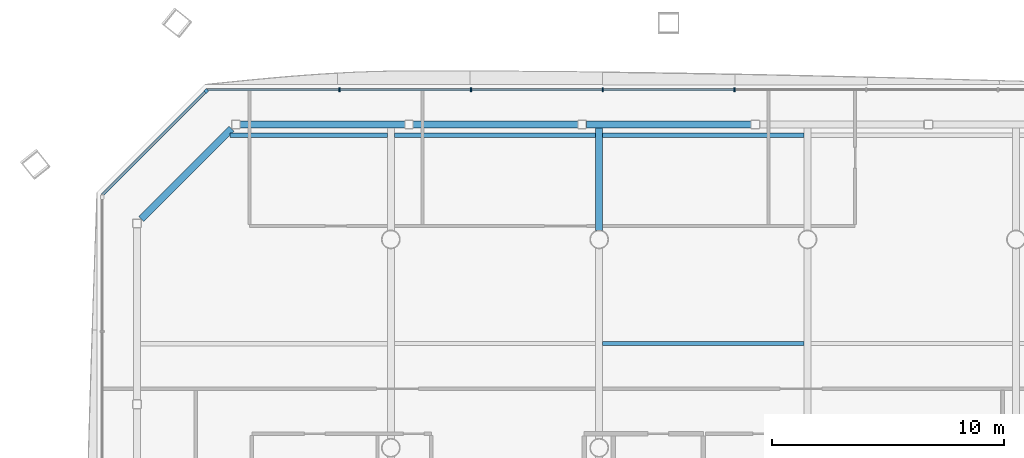
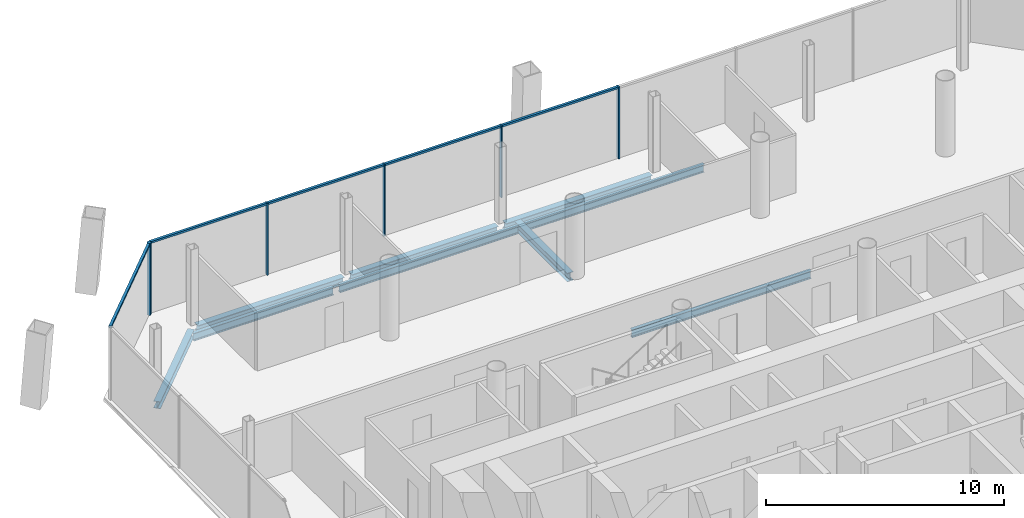
# One storey, part 8 of 19: 10 members, 9 beams, 2 elements without a shape of their own.
"""IFC4 building model written with IfcOpenShell, lengths in metres."""

from ifc_helpers import new_model, si_unit, direction, frame, origin, origin_2d, place, context, subcontext, project, spatial, rectangle, i_section, extrude, material, material_profile, profile_set, type_object, element, aggregate, save


model = new_model("IFC4")

# Units and contexts
model_context = context("Model", 3, precision=1e-05, world=origin(), true_north=direction((0.0, 1.0)))
body_context = subcontext(model_context, "Body", "Model", "MODEL_VIEW")
ifc_project = project(units=[si_unit("LENGTHUNIT", "METRE"), si_unit("AREAUNIT", "SQUARE_METRE"), si_unit("VOLUMEUNIT", "CUBIC_METRE"), si_unit("PLANEANGLEUNIT", "RADIAN"), si_unit("MASSUNIT", "GRAM", prefix="KILO")], contexts=[model_context])

# Site, building, storey
site_placement = place(None, origin())
site = spatial("IfcSite", under=ifc_project, at=site_placement, CompositionType="ELEMENT")
building_placement = place(site_placement, origin())
building = spatial("IfcBuilding", under=site, at=building_placement, Name="Tskaro Facet Tower", CompositionType="ELEMENT")
storey_placement = place(building_placement, frame((0.0, 0.0, 89.39990234375)))
storey = spatial("IfcBuildingStorey", under=building, at=storey_placement, Name="L21", CompositionType="ELEMENT", Elevation=89.39990234375)

# Curtain wall, member
ifc_material_1 = material(Name="Bronze anodised aluminium 6063-T6", Category="aluminium")
curtain_wall_type = type_object("IfcCurtainWallType", Name="Bronze office curtain wall (FW1)", PredefinedType="NOTDEFINED", material=ifc_material_1)
curtain_wall_1_placement = place(storey_placement, origin())
curtain_wall_1 = element("IfcCurtainWall", 1, at=curtain_wall_1_placement, inside=storey, type_object=curtain_wall_type, Name="FW1 north-west facet L21", PredefinedType="NOTDEFINED")
ifc_material_profile_1 = material_profile(ifc_material_1, rectangle(XDim=0.159912109375, YDim=0.159912109375, at=origin_2d()), Name="Corner post 160x160")
ifc_profile_set_1 = profile_set([ifc_material_profile_1], Name="Bronze anodised aluminium 6063-T6")
member_type_1 = type_object("IfcMemberType", Name="FW1 bronze corner post 160x160", PredefinedType="MULLION", material=ifc_profile_set_1)
member_1_placement = place(storey_placement, frame((-16.969482421875, 24.406494140625, 0.0), z_axis=(0.0, 0.0, 1.0), x_axis=(-0.707106781187, -0.707106781187, 0.0)))
member_1 = element("IfcMember", 2, at=member_1_placement, type_object=member_type_1, Name="FW1 north-west corner post", PredefinedType="MULLION", context=body_context, shape_type="SweptSolid", body=[
    extrude(rectangle(XDim=0.159912109375, YDim=0.159912109375, at=origin_2d()), origin(), (0.0, 0.0, 1.0), 3.7001953125),
])

# Curtain wall, members
curtain_wall_2_placement = place(storey_placement, origin())
curtain_wall_2 = element("IfcCurtainWall", 3, at=curtain_wall_2_placement, inside=storey, type_object=curtain_wall_type, Name="FW1 north facet L21", PredefinedType="NOTDEFINED")
ifc_material_profile_2 = material_profile(ifc_material_1, rectangle(XDim=0.06005859375, YDim=0.159912109375, at=origin_2d()), Name="Mullion 60x160")
ifc_profile_set_2 = profile_set([ifc_material_profile_2], Name="Bronze anodised aluminium 6063-T6")
member_type_2 = type_object("IfcMemberType", Name="FW1 bronze mullion 60x160", PredefinedType="MULLION", material=ifc_profile_set_2)
member_2_placement = place(storey_placement, frame((5.8447265625, 24.462890625, 0.0), z_axis=(0.0, 0.0, 1.0), x_axis=(-1.0, 0.0, 0.0)))
member_2 = element("IfcMember", 4, at=member_2_placement, type_object=member_type_2, Name="FW1 north mullion 3", PredefinedType="MULLION", context=body_context, shape_type="SweptSolid", body=[
    extrude(rectangle(XDim=0.06005859375, YDim=0.159912109375, at=origin_2d()), origin(), (0.0, 0.0, 1.0), 3.7001953125),
])
member_3_placement = place(storey_placement, frame((0.1552734375, 24.462890625, 0.0), z_axis=(0.0, 0.0, 1.0), x_axis=(-1.0, 0.0, 0.0)))
member_3 = element("IfcMember", 5, at=member_3_placement, type_object=member_type_2, Name="FW1 north mullion 4", PredefinedType="MULLION", context=body_context, shape_type="SweptSolid", body=[
    extrude(rectangle(XDim=0.06005859375, YDim=0.159912109375, at=origin_2d()), origin(), (0.0, 0.0, 1.0), 3.7001953125),
])
member_4_placement = place(storey_placement, frame((-5.5341796875, 24.462890625, 0.0), z_axis=(0.0, 0.0, 1.0), x_axis=(-1.0, 0.0, 0.0)))
member_4 = element("IfcMember", 6, at=member_4_placement, type_object=member_type_2, Name="FW1 north mullion 5", PredefinedType="MULLION", context=body_context, shape_type="SweptSolid", body=[
    extrude(rectangle(XDim=0.06005859375, YDim=0.159912109375, at=origin_2d()), origin(), (0.0, 0.0, 1.0), 3.7001953125),
])
member_5_placement = place(storey_placement, frame((-11.2236328125, 24.462890625, 0.0), z_axis=(0.0, 0.0, 1.0), x_axis=(-1.0, 0.0, 0.0)))
member_5 = element("IfcMember", 7, at=member_5_placement, type_object=member_type_2, Name="FW1 north mullion 6", PredefinedType="MULLION", context=body_context, shape_type="SweptSolid", body=[
    extrude(rectangle(XDim=0.06005859375, YDim=0.159912109375, at=origin_2d()), origin(), (0.0, 0.0, 1.0), 3.7001953125),
])
ifc_material_profile_3 = material_profile(ifc_material_1, rectangle(XDim=0.1201171875, YDim=0.10009765625, at=origin_2d()), Name="Transom 120x100")
ifc_profile_set_3 = profile_set([ifc_material_profile_3], Name="Bronze anodised aluminium 6063-T6")
member_type_3 = type_object("IfcMemberType", Name="FW1 bronze transom 120x100", PredefinedType="USERDEFINED", material=ifc_profile_set_3)
member_6_placement = place(storey_placement, frame((5.814697265625, 24.462890625, 3.650146484375), z_axis=(-1.0, 0.0, 0.0), x_axis=(0.0, -1.0, 0.0)))
member_6 = element("IfcMember", 8, at=member_6_placement, type_object=member_type_3, Name="FW1 north transom 4.1", ObjectType="TRANSOM", PredefinedType="USERDEFINED", context=body_context, shape_type="SweptSolid", body=[
    extrude(rectangle(XDim=0.1201171875, YDim=0.10009765625, at=origin_2d()), origin(), (0.0, 0.0, 1.0), 5.62939453125),
])
member_7_placement = place(storey_placement, frame((0.125244140625, 24.462890625, 3.650146484375), z_axis=(-1.0, 0.0, 0.0), x_axis=(0.0, -1.0, 0.0)))
member_7 = element("IfcMember", 9, at=member_7_placement, type_object=member_type_3, Name="FW1 north transom 5.1", ObjectType="TRANSOM", PredefinedType="USERDEFINED", context=body_context, shape_type="SweptSolid", body=[
    extrude(rectangle(XDim=0.1201171875, YDim=0.10009765625, at=origin_2d()), origin(), (0.0, 0.0, 1.0), 5.62939453125),
])
member_8_placement = place(storey_placement, frame((-5.564208984375, 24.462890625, 3.650146484375), z_axis=(-1.0, 0.0, 0.0), x_axis=(0.0, -1.0, 0.0)))
member_8 = element("IfcMember", 10, at=member_8_placement, type_object=member_type_3, Name="FW1 north transom 6.1", ObjectType="TRANSOM", PredefinedType="USERDEFINED", context=body_context, shape_type="SweptSolid", body=[
    extrude(rectangle(XDim=0.1201171875, YDim=0.10009765625, at=origin_2d()), origin(), (0.0, 0.0, 1.0), 5.62939453125),
])
member_9_placement = place(storey_placement, frame((-11.253662109375, 24.462890625, 3.650146484375), z_axis=(-1.0, 0.0, 0.0), x_axis=(0.0, -1.0, 0.0)))
member_9 = element("IfcMember", 11, at=member_9_placement, type_object=member_type_3, Name="FW1 north transom 7.1", ObjectType="TRANSOM", PredefinedType="USERDEFINED", context=body_context, shape_type="SweptSolid", body=[
    extrude(rectangle(XDim=0.1201171875, YDim=0.10009765625, at=origin_2d()), origin(), (0.0, 0.0, 1.0), 5.659423828125),
])
aggregate(curtain_wall_2, [member_2, member_3, member_4, member_5, member_6, member_7, member_8, member_9])

# Member
member_10_placement = place(storey_placement, frame((-17.026123046875, 24.349853515625, 3.650146484375), z_axis=(-0.707106781187, -0.707106781187, 0.0), x_axis=(0.707106781187, -0.707106781187, 0.0)))
member_10 = element("IfcMember", 12, at=member_10_placement, type_object=member_type_3, Name="FW1 north-west transom 1.1", ObjectType="TRANSOM", PredefinedType="USERDEFINED", context=body_context, shape_type="SweptSolid", body=[
    extrude(rectangle(XDim=0.1201171875, YDim=0.10009765625, at=origin_2d()), origin(), (0.0, 0.0, 1.0), 6.274658203125),
])

aggregate(curtain_wall_1, [member_1, member_10])

# Beams
ifc_material_2 = material(Name="Steel S355J2", Category="steel")
ifc_material_profile_4 = material_profile(ifc_material_2, i_section(OverallWidth=0.300048828125, OverallDepth=0.360107421875, WebThickness=0.012451171875, FlangeThickness=0.0224609375, FilletRadius=0.027099609375, at=origin_2d()), Name="HE 360 B")
ifc_profile_set_4 = profile_set([ifc_material_profile_4], Name="Steel S355J2")
beam_type_1 = type_object("IfcBeamType", Name="HE 360 B ring beam", PredefinedType="BEAM", material=ifc_profile_set_4)
beam_1_placement = place(storey_placement, frame((6.55810546875, 22.965087890625, -0.31982421875), z_axis=(-1.0, 0.0, 0.0), x_axis=(0.0, -1.0, 0.0)))
element("IfcBeam", 13, at=beam_1_placement, inside=storey, type_object=beam_type_1, Name="HE 360 B EB15-2", PredefinedType="BEAM", context=body_context, shape_type="SweptSolid", body=[
    extrude(i_section(OverallWidth=0.300048828125, OverallDepth=0.360107421875, WebThickness=0.012451171875, FlangeThickness=0.0224609375, FilletRadius=0.027099609375, at=origin_2d()), origin(), (0.0, 0.0, 1.0), 7.1162109375),
])
for number, where, z_axis, x_axis, name in (
    (14, (-0.91796875, 22.965087890625, -0.31982421875), (-1.0, 0.0, 0.0), (0.0, -1.0, 0.0), "HE 360 B EB16-2"),
    (15, (-8.39404296875, 22.965087890625, -0.31982421875), (-1.0, 0.0, 0.0), (0.0, -1.0, 0.0), "HE 360 B EB17-2"),
):
    element("IfcBeam", number, at=place(storey_placement, frame(where, z_axis=z_axis, x_axis=x_axis)), inside=storey, type_object=beam_type_1, Name=name, PredefinedType="BEAM", context=body_context, shape_type="SweptSolid", body=[
        extrude(i_section(OverallWidth=0.300048828125, OverallDepth=0.360107421875, WebThickness=0.012451171875, FlangeThickness=0.0224609375, FilletRadius=0.027099609375, at=origin_2d()), origin(), (0.0, 0.0, 1.0), 7.115966796875),
    ])
beam_2_placement = place(storey_placement, frame((-15.8759765625, 22.779052734375, -0.31982421875), z_axis=(-0.707106781187, -0.707106781187, 0.0), x_axis=(0.707106781187, -0.707106781187, 0.0)))
element("IfcBeam", 16, at=beam_2_placement, inside=storey, type_object=beam_type_1, Name="HE 360 B EB18-2", PredefinedType="BEAM", context=body_context, shape_type="SweptSolid", body=[
    extrude(i_section(OverallWidth=0.300048828125, OverallDepth=0.360107421875, WebThickness=0.012451171875, FlangeThickness=0.0224609375, FilletRadius=0.027099609375, at=origin_2d()), origin(), (0.0, 0.0, 1.0), 5.519775390625),
])
ifc_material_profile_5 = material_profile(ifc_material_2, i_section(OverallWidth=0.300048828125, OverallDepth=0.43994140625, WebThickness=0.011474609375, FlangeThickness=0.02099609375, FilletRadius=0.027099609375, at=origin_2d()), Name="HE 450 A")
ifc_profile_set_5 = profile_set([ifc_material_profile_5], Name="Steel S355J2")
beam_type_2 = type_object("IfcBeamType", Name="HE 450 A girder", PredefinedType="BEAM", material=ifc_profile_set_5)
beam_3_placement = place(storey_placement, frame((0.0, 18.37646484375, -0.35986328125), z_axis=(0.0, 1.0, 0.0), x_axis=(-1.0, 0.0, 0.0)))
element("IfcBeam", 17, at=beam_3_placement, inside=storey, type_object=beam_type_2, Name="HE 450 A GB4-5-2", PredefinedType="BEAM", context=body_context, shape_type="SweptSolid", body=[
    extrude(i_section(OverallWidth=0.300048828125, OverallDepth=0.43994140625, WebThickness=0.011474609375, FlangeThickness=0.02099609375, FilletRadius=0.027099609375, at=origin_2d()), origin(), (0.0, 0.0, 1.0), 4.4384765625),
])
ifc_material_profile_6 = material_profile(ifc_material_2, i_section(OverallWidth=0.179931640625, OverallDepth=0.39990234375, WebThickness=0.008544921875, FlangeThickness=0.013427734375, FilletRadius=0.02099609375, at=origin_2d()), Name="IPE 400")
ifc_profile_set_6 = profile_set([ifc_material_profile_6], Name="Steel S355J2")
beam_type_3 = type_object("IfcBeamType", Name="IPE 400 secondary beam", PredefinedType="BEAM", material=ifc_profile_set_6)
beam_4_placement = place(storey_placement, frame((0.14990234375, 13.5, -0.33984375), z_axis=(1.0, 0.0, 0.0), x_axis=(0.0, 1.0, 0.0)))
element("IfcBeam", 18, at=beam_4_placement, inside=storey, type_object=beam_type_3, Name="IPE 400 SB5a-3-2", PredefinedType="BEAM", context=body_context, shape_type="SweptSolid", body=[
    extrude(i_section(OverallWidth=0.179931640625, OverallDepth=0.39990234375, WebThickness=0.008544921875, FlangeThickness=0.013427734375, FilletRadius=0.02099609375, at=origin_2d()), origin(), (0.0, 0.0, 1.0), 8.7001953125),
])
beam_5_placement = place(storey_placement, frame((-15.943115234375, 22.5, -0.33984375), z_axis=(1.0, 0.0, 0.0), x_axis=(0.0, 1.0, 0.0)))
element("IfcBeam", 19, at=beam_5_placement, inside=storey, type_object=beam_type_3, Name="IPE 400 SB6a-1-2", PredefinedType="BEAM", context=body_context, shape_type="SweptSolid", body=[
    extrude(i_section(OverallWidth=0.179931640625, OverallDepth=0.39990234375, WebThickness=0.008544921875, FlangeThickness=0.013427734375, FilletRadius=0.02099609375, at=origin_2d()), origin(), (0.0, 0.0, 1.0), 6.793212890625),
])
for number, where, z_axis, x_axis, name in (
    (20, (-8.85009765625, 22.5, -0.33984375), (1.0, 0.0, 0.0), (0.0, 1.0, 0.0), "IPE 400 SB6a-2-2"),
    (21, (0.14990234375, 22.5, -0.33984375), (1.0, 0.0, 0.0), (0.0, 1.0, 0.0), "IPE 400 SB6a-3-2"),
):
    element("IfcBeam", number, at=place(storey_placement, frame(where, z_axis=z_axis, x_axis=x_axis)), inside=storey, type_object=beam_type_3, Name=name, PredefinedType="BEAM", context=body_context, shape_type="SweptSolid", body=[
        extrude(i_section(OverallWidth=0.179931640625, OverallDepth=0.39990234375, WebThickness=0.008544921875, FlangeThickness=0.013427734375, FilletRadius=0.02099609375, at=origin_2d()), origin(), (0.0, 0.0, 1.0), 8.7001953125),
    ])

save(model, "model.ifc")
